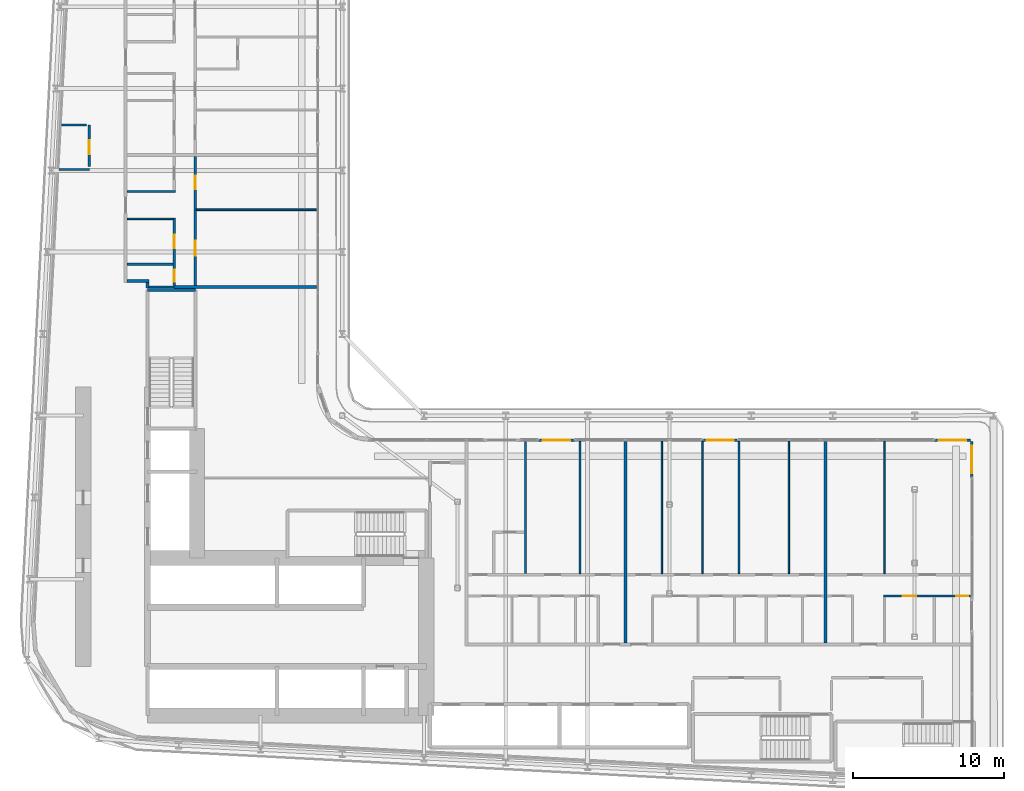
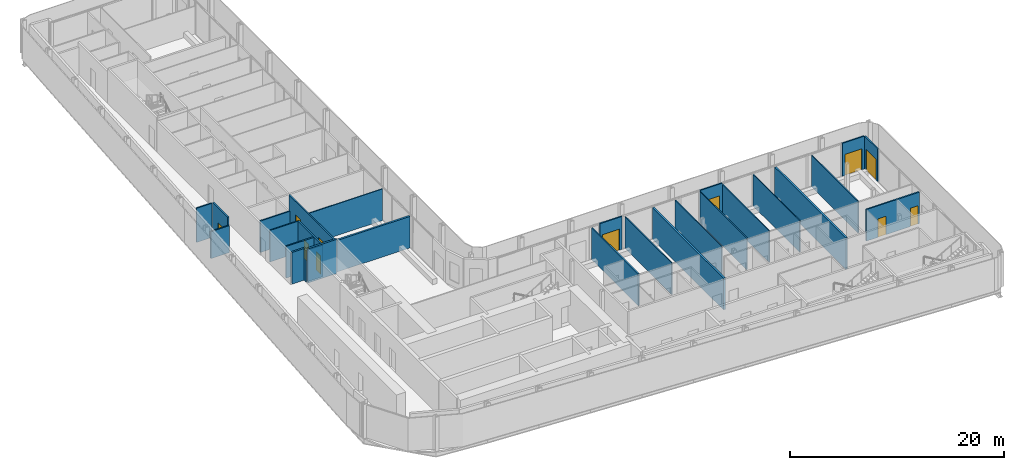
# One storey, part 14 of 24: 28 walls, 11 doors, 11 openings.
"""IFC4 building model written with IfcOpenShell, lengths in metres."""

from ifc_helpers import new_model, si_unit, direction, frame, frame_2d, origin, place, context, subcontext, project, spatial, rectangle, extrude, source, transform, mapped, material, layer, layer_set, type_object, element, fill, save


model = new_model("IFC4")

# Units and contexts
model_context = context("Model", 3, precision=1e-05, world=origin(), true_north=direction((0.0, 1.0)))
body_context = subcontext(model_context, "Body", "Model", "MODEL_VIEW")
ifc_project = project(units=[si_unit("LENGTHUNIT", "METRE"), si_unit("AREAUNIT", "SQUARE_METRE"), si_unit("VOLUMEUNIT", "CUBIC_METRE"), si_unit("PLANEANGLEUNIT", "RADIAN"), si_unit("MASSUNIT", "GRAM", prefix="KILO")], contexts=[model_context])

# Site, building, storey
site_placement = place(None, origin())
site = spatial("IfcSite", under=ifc_project, at=site_placement, CompositionType="ELEMENT")
building_placement = place(site_placement, origin())
building = spatial("IfcBuilding", under=site, at=building_placement, Name="Kheshtan School and Residences Tower", CompositionType="ELEMENT")
storey_placement = place(building_placement, frame((0.0, 0.0, 38.300048828125)))
storey = spatial("IfcBuildingStorey", under=building, at=storey_placement, Name="L08", CompositionType="ELEMENT", Elevation=38.300048828125)

# Walls
ifc_material_1 = material(Name="Gypsum board on steel studs with fire boards", Category="steel")
ifc_layer_1 = layer(ifc_material_1, 0.199951171875)
ifc_layer_set_1 = layer_set([ifc_layer_1], Name="Corridor wall 200")
wall_type_1 = type_object("IfcWallType", Name="Corridor wall 200", PredefinedType="PARTITIONING", material=ifc_layer_set_1)
wall_1_placement = place(storey_placement, frame((33.39990234375, 54.5, 0.0), z_axis=(0.0, 0.0, 1.0), x_axis=(1.0, 0.0, 0.0)))
element("IfcWall", 1, at=wall_1_placement, inside=storey, type_object=wall_type_1, Name="Partition L08-005", PredefinedType="PARTITIONING", context=body_context, shape_type="SweptSolid", body=[
    extrude(rectangle(XDim=1.4501953125, YDim=0.199951171875, at=frame_2d((0.72509765625, 0.0))), origin(), (0.0, 0.0, 1.0), 3.599853515625),
])
wall_2_placement = place(storey_placement, frame((34.75, 54.02490234375, 0.0), z_axis=(0.0, 0.0, 1.0), x_axis=(0.0, 1.0, 0.0)))
element("IfcWall", 2, at=wall_2_placement, inside=storey, type_object=wall_type_1, Name="Partition L08-019", PredefinedType="PARTITIONING", context=body_context, shape_type="SweptSolid", body=[
    extrude(rectangle(XDim=0.375, YDim=0.199951171875, at=frame_2d((0.1875, 0.0))), origin(), (0.0, 0.0, 1.0), 3.599853515625),
])

# Wall, opening, door
ifc_material_2 = material(Name="Aluminium frame wall with insulated infill", Category="aluminium")
ifc_layer_2 = layer(ifc_material_2, 0.14990234375)
ifc_layer_set_2 = layer_set([ifc_layer_2], Name="Glazing frame wall 150")
wall_type_2 = type_object("IfcWallType", Name="Glazing frame wall 150", PredefinedType="SOLIDWALL", material=ifc_layer_set_2)
wall_3_placement = place(storey_placement, frame((60.547119140625, 43.97509765625, 0.0), z_axis=(0.0, 0.0, 1.0), x_axis=(1.0, 0.0, 0.0)))
wall_3 = element("IfcWall", 3, at=wall_3_placement, inside=storey, type_object=wall_type_2, Name="Balcony door wall L08 12.2", PredefinedType="SOLIDWALL", context=body_context, shape_type="SweptSolid", body=[
    extrude(rectangle(XDim=2.39990234375, YDim=0.14990234375, at=frame_2d((1.199951171875, 0.0))), origin(), (0.0, 0.0, 1.0), 3.75),
])
opening_1_placement = place(wall_3_placement, frame((0.300048828125, 0.0, 0.0)))
opening_1 = element("IfcOpeningElement", 4, at=opening_1_placement, cuts=wall_3, Name="Opening BD", PredefinedType="OPENING", context=body_context, shape_type="SweptSolid", body=[
    extrude(rectangle(XDim=1.800048828125, YDim=2.39990234375, at=frame_2d((0.89990234375, 1.199951171875))), frame((0.0, 0.0849609375, 0.0), z_axis=(0.0, -1.0, 0.0), x_axis=(1.0, 0.0, 0.0)), (0.0, 0.0, 1.0), 0.169921875),
])
ifc_material_3 = material(Name="Clear low-e glass in thermally broken aluminium frame", Category="aluminium")
door_type_1 = type_object("IfcDoorType", Name="Balcony sliding door", OperationType="SLIDING_TO_LEFT", PredefinedType="DOOR", material=ifc_material_3)
shared_shape_1 = source(origin(), body_context, "Body", "SweptSolid", [
    extrude(rectangle(XDim=1.800048828125, YDim=2.39990234375, at=frame_2d((0.89990234375, 1.199951171875))), frame((0.0, 0.02490234375, 0.0), z_axis=(0.0, -1.0, 0.0), x_axis=(1.0, 0.0, 0.0)), (0.0, 0.0, 1.0), 0.050048828125),
])
door_1_placement = place(opening_1_placement, origin())
door_1 = element("IfcDoor", 5, at=door_1_placement, inside=storey, type_object=door_type_1, Name="Balcony door L08 12.2", OperationType="SLIDING_TO_LEFT", OverallHeight=2.39990234375, OverallWidth=1.800048828125, PredefinedType="DOOR", context=body_context, shape_type="MappedRepresentation", body=[
    mapped(shared_shape_1, transform((0.0, 0.0, 0.0), x_axis=(1.0, 0.0, 0.0), y_axis=(0.0, 1.0, 0.0), z_axis=(0.0, 0.0, 1.0), scale=1.0)),
])
fill(opening_1, door_1)

wall_4_placement = place(storey_placement, frame((71.364990234375, 43.97509765625, 0.0), z_axis=(0.0, 0.0, 1.0), x_axis=(1.0, 0.0, 0.0)))
wall_4 = element("IfcWall", 6, at=wall_4_placement, inside=storey, type_object=wall_type_2, Name="Balcony door wall L08 12.3", PredefinedType="SOLIDWALL", context=body_context, shape_type="SweptSolid", body=[
    extrude(rectangle(XDim=2.39990234375, YDim=0.14990234375, at=frame_2d((1.199951171875, 0.0))), origin(), (0.0, 0.0, 1.0), 3.75),
])
opening_2_placement = place(wall_4_placement, frame((0.300048828125, 0.0, 0.0)))
opening_2 = element("IfcOpeningElement", 7, at=opening_2_placement, cuts=wall_4, Name="Opening BD", PredefinedType="OPENING", context=body_context, shape_type="SweptSolid", body=[
    extrude(rectangle(XDim=1.800048828125, YDim=2.39990234375, at=frame_2d((0.89990234375, 1.199951171875))), frame((0.0, 0.0849609375, 0.0), z_axis=(0.0, -1.0, 0.0), x_axis=(1.0, 0.0, 0.0)), (0.0, 0.0, 1.0), 0.169921875),
])
door_2_placement = place(opening_2_placement, origin())
door_2 = element("IfcDoor", 8, at=door_2_placement, inside=storey, type_object=door_type_1, Name="Balcony door L08 12.3", OperationType="SLIDING_TO_LEFT", OverallHeight=2.39990234375, OverallWidth=1.800048828125, PredefinedType="DOOR", context=body_context, shape_type="MappedRepresentation", body=[
    mapped(shared_shape_1, transform((0.0, 0.0, 0.0), x_axis=(1.0, 0.0, 0.0), y_axis=(0.0, 1.0, 0.0), z_axis=(0.0, 0.0, 1.0), scale=1.0)),
])
fill(opening_2, door_2)

wall_5_placement = place(storey_placement, frame((86.699951171875, 43.97509765625, 0.0), z_axis=(0.0, 0.0, 1.0), x_axis=(1.0, 0.0, 0.0)))
wall_5 = element("IfcWall", 9, at=wall_5_placement, inside=storey, type_object=wall_type_2, Name="Balcony door wall L08 12.4", PredefinedType="SOLIDWALL", context=body_context, shape_type="SweptSolid", body=[
    extrude(rectangle(XDim=2.400146484375, YDim=0.14990234375, at=frame_2d((1.2001953125, 0.0))), origin(), (0.0, 0.0, 1.0), 3.75),
])
opening_3_placement = place(wall_5_placement, frame((0.300048828125, 0.0, 0.0)))
opening_3 = element("IfcOpeningElement", 10, at=opening_3_placement, cuts=wall_5, Name="Opening BD", PredefinedType="OPENING", context=body_context, shape_type="SweptSolid", body=[
    extrude(rectangle(XDim=1.800048828125, YDim=2.39990234375, at=frame_2d((0.89990234375, 1.199951171875))), frame((0.0, 0.0849609375, 0.0), z_axis=(0.0, -1.0, 0.0), x_axis=(1.0, 0.0, 0.0)), (0.0, 0.0, 1.0), 0.169921875),
])
door_3_placement = place(opening_3_placement, origin())
door_3 = element("IfcDoor", 11, at=door_3_placement, inside=storey, type_object=door_type_1, Name="Balcony door L08 12.4", OperationType="SLIDING_TO_LEFT", OverallHeight=2.39990234375, OverallWidth=1.800048828125, PredefinedType="DOOR", context=body_context, shape_type="MappedRepresentation", body=[
    mapped(shared_shape_1, transform((0.0, 0.0, 0.0), x_axis=(1.0, 0.0, 0.0), y_axis=(0.0, 1.0, 0.0), z_axis=(0.0, 0.0, 1.0), scale=1.0)),
])
fill(opening_3, door_3)

wall_6_placement = place(storey_placement, frame((89.175048828125, 43.89990234375, 0.0), z_axis=(0.0, 0.0, 1.0), x_axis=(0.0, -1.0, 0.0)))
wall_6 = element("IfcWall", 12, at=wall_6_placement, inside=storey, type_object=wall_type_2, Name="Balcony door wall L08 13.1", PredefinedType="SOLIDWALL", context=body_context, shape_type="SweptSolid", body=[
    extrude(rectangle(XDim=2.39990234375, YDim=0.14990234375, at=frame_2d((1.199951171875, 0.0))), origin(), (0.0, 0.0, 1.0), 3.75),
])
opening_4_placement = place(wall_6_placement, frame((0.300048828125, 0.0, 0.0)))
opening_4 = element("IfcOpeningElement", 13, at=opening_4_placement, cuts=wall_6, Name="Opening BD", PredefinedType="OPENING", context=body_context, shape_type="SweptSolid", body=[
    extrude(rectangle(XDim=1.800048828125, YDim=2.39990234375, at=frame_2d((0.89990234375, 1.199951171875))), frame((0.0, 0.0849609375, 0.0), z_axis=(0.0, -1.0, 0.0), x_axis=(1.0, 0.0, 0.0)), (0.0, 0.0, 1.0), 0.169921875),
])
door_4_placement = place(opening_4_placement, origin())
door_4 = element("IfcDoor", 14, at=door_4_placement, inside=storey, type_object=door_type_1, Name="Balcony door L08 13.1", OperationType="SLIDING_TO_LEFT", OverallHeight=2.39990234375, OverallWidth=1.800048828125, PredefinedType="DOOR", context=body_context, shape_type="MappedRepresentation", body=[
    mapped(shared_shape_1, transform((0.0, 0.0, 0.0), x_axis=(1.0, 0.0, 0.0), y_axis=(0.0, 1.0, 0.0), z_axis=(0.0, 0.0, 1.0), scale=1.0)),
])
fill(opening_4, door_4)

# Walls
ifc_material_4 = material(Name="Gypsum board on steel studs", Category="steel")
ifc_layer_3 = layer(ifc_material_4, 0.10009765625)
ifc_layer_set_3 = layer_set([ifc_layer_3], Name="Gypsum partition 100")
wall_type_3 = type_object("IfcWallType", Name="Gypsum partition 100", PredefinedType="PARTITIONING", material=ifc_layer_set_3)
wall_7_placement = place(storey_placement, frame((33.39990234375, 58.60009765625, 0.0), z_axis=(0.0, 0.0, 1.0), x_axis=(1.0, 0.0, 0.0)))
element("IfcWall", 15, at=wall_7_placement, inside=storey, type_object=wall_type_3, Name="Partition L08-007", PredefinedType="PARTITIONING", context=body_context, shape_type="SweptSolid", body=[
    extrude(rectangle(XDim=3.025146484375, YDim=0.10009765625, at=frame_2d((1.5126953125, 0.0))), origin(), (0.0, 0.0, 1.0), 3.599853515625),
])
wall_8_placement = place(storey_placement, frame((37.97509765625, 59.199951171875, 0.0), z_axis=(0.0, 0.0, 1.0), x_axis=(1.0, 0.0, 0.0)))
element("IfcWall", 16, at=wall_8_placement, inside=storey, type_object=wall_type_3, Name="Partition L08-036", PredefinedType="PARTITIONING", context=body_context, shape_type="SweptSolid", body=[
    extrude(rectangle(XDim=7.9248046875, YDim=0.10009765625, at=frame_2d((3.96240234375, 0.0))), origin(), (0.0, 0.0, 1.0), 3.599853515625),
])
for number, where, z_axis, x_axis, name in (
    (17, (63.300048828125, 35.175048828125, 0.0), (0.0, 0.0, 1.0), (0.0, 1.0, 0.0), "Partition L08-056"),
    (18, (68.699951171875, 35.175048828125, 0.0), (0.0, 0.0, 1.0), (0.0, 1.0, 0.0), "Partition L08-062"),
    (19, (71.39990234375, 35.175048828125, 0.0), (0.0, 0.0, 1.0), (0.0, 1.0, 0.0), "Partition L08-064"),
    (20, (73.800048828125, 35.175048828125, 0.0), (0.0, 0.0, 1.0), (0.0, 1.0, 0.0), "Partition L08-066"),
    (21, (77.10009765625, 35.175048828125, 0.0), (0.0, 0.0, 1.0), (0.0, 1.0, 0.0), "Partition L08-068"),
    (22, (83.39990234375, 35.175048828125, 0.0), (0.0, 0.0, 1.0), (0.0, 1.0, 0.0), "Partition L08-076"),
):
    element("IfcWall", number, at=place(storey_placement, frame(where, z_axis=z_axis, x_axis=x_axis)), inside=storey, type_object=wall_type_3, Name=name, PredefinedType="PARTITIONING", context=body_context, shape_type="SweptSolid", body=[
        extrude(rectangle(XDim=8.724853515625, YDim=0.10009765625, at=frame_2d((4.3623046875, 0.0))), origin(), (0.0, 0.0, 1.0), 3.599853515625),
    ])
ifc_material_5 = material(Name="Fire-board shaft wall system")
ifc_layer_4 = layer(ifc_material_5, 0.14990234375)
ifc_layer_set_4 = layer_set([ifc_layer_4], Name="Service room wall 150")
wall_type_4 = type_object("IfcWallType", Name="Service room wall 150", PredefinedType="PARTITIONING", material=ifc_layer_set_4)
wall_9_placement = place(storey_placement, frame((28.89501953125, 61.85107421875, 0.0), z_axis=(0.0, 0.0, 1.0), x_axis=(1.0, 0.0, 0.0)))
element("IfcWall", 23, at=wall_9_placement, inside=storey, type_object=wall_type_4, Name="Service room wall", PredefinedType="PARTITIONING", context=body_context, shape_type="SweptSolid", body=[
    extrude(rectangle(XDim=2.0048828125, YDim=0.14990234375, at=frame_2d((1.00244140625, 0.0))), origin(), (0.0, 0.0, 1.0), 3.072021484375),
])

# Wall, opening, door
wall_10_placement = place(storey_placement, frame((30.89990234375, 62.0458984375, 0.0), z_axis=(0.0, 0.0, 1.0), x_axis=(0.0, 1.0, 0.0)))
wall_10 = element("IfcWall", 24, at=wall_10_placement, inside=storey, type_object=wall_type_4, Name="Service room wall", PredefinedType="PARTITIONING", context=body_context, shape_type="SweptSolid", body=[
    extrude(rectangle(XDim=2.754150390625, YDim=0.14990234375, at=frame_2d((1.376953125, 0.0))), origin(), (0.0, 0.0, 1.0), 3.89990234375),
])
opening_5_placement = place(wall_10_placement, frame((0.830078125, 0.0, 0.0)))
opening_5 = element("IfcOpeningElement", 25, at=opening_5_placement, cuts=wall_10, Name="Opening SR90", PredefinedType="OPENING", context=body_context, shape_type="SweptSolid", body=[
    extrude(rectangle(XDim=0.89990234375, YDim=2.199951171875, at=frame_2d((0.449951171875, 1.10009765625))), frame((0.0, 0.0849609375, 0.0), z_axis=(0.0, -1.0, 0.0), x_axis=(1.0, 0.0, 0.0)), (0.0, 0.0, 1.0), 0.169921875),
])
ifc_material_6 = material(Name="Steel door leaf, galvanised", Category="steel")
door_type_2 = type_object("IfcDoorType", Name="Service room door 900 steel 90 min", OperationType="SINGLE_SWING_LEFT", PredefinedType="DOOR", material=ifc_material_6)
shared_shape_2 = source(origin(), body_context, "Body", "SweptSolid", [
    extrude(rectangle(XDim=0.89990234375, YDim=2.199951171875, at=frame_2d((0.449951171875, 1.10009765625))), frame((0.0, 0.02490234375, 0.0), z_axis=(0.0, -1.0, 0.0), x_axis=(1.0, 0.0, 0.0)), (0.0, 0.0, 1.0), 0.050048828125),
])
door_5_placement = place(opening_5_placement, origin())
door_5 = element("IfcDoor", 26, at=door_5_placement, inside=storey, type_object=door_type_2, Name="Service room door", OperationType="SINGLE_SWING_LEFT", OverallHeight=2.199951171875, OverallWidth=0.89990234375, PredefinedType="DOOR", context=body_context, shape_type="MappedRepresentation", body=[
    mapped(shared_shape_2, transform((0.0, 0.0, 0.0), x_axis=(1.0, 0.0, 0.0), y_axis=(0.0, 1.0, 0.0), z_axis=(0.0, 0.0, 1.0), scale=1.0)),
])
fill(opening_5, door_5)

# Walls
wall_11_placement = place(storey_placement, frame((29.050048828125, 64.800048828125, 0.0), z_axis=(0.0, 0.0, 1.0), x_axis=(1.0, 0.0, 0.0)))
element("IfcWall", 27, at=wall_11_placement, inside=storey, type_object=wall_type_4, Name="Service room wall", PredefinedType="PARTITIONING", context=body_context, shape_type="SweptSolid", body=[
    extrude(rectangle(XDim=1.655029296875, YDim=0.14990234375, at=frame_2d((0.82763671875, 0.0))), origin(), (0.0, 0.0, 1.0), 3.89990234375),
])
ifc_material_7 = material(Name="Concrete C40/50", Category="concrete")
ifc_layer_5 = layer(ifc_material_7, 0.199951171875)
ifc_layer_set_5 = layer_set([ifc_layer_5], Name="Stair enclosure wall 200 Concrete C40/50")
wall_type_5 = type_object("IfcWallType", Name="Stair enclosure wall 200 Concrete C40/50", PredefinedType="SHEAR", material=ifc_layer_set_5)
wall_12_placement = place(storey_placement, frame((34.75, 53.909912109375, 0.0), z_axis=(0.0, 0.0, 1.0), x_axis=(1.0, 0.0, 0.0)))
element("IfcWall", 28, at=wall_12_placement, inside=storey, type_object=wall_type_5, Name="Stair enclosure wall ST2", PredefinedType="SHEAR", context=body_context, shape_type="SweptSolid", body=[
    extrude(rectangle(XDim=3.14990234375, YDim=0.199951171875, at=frame_2d((1.574951171875, 0.0))), origin(), (0.0, 0.0, 1.0), 3.89990234375),
])
ifc_material_8 = material(Name="Twin gypsum board on steel studs with mineral wool", Category="steel")
ifc_layer_6 = layer(ifc_material_8, 0.199951171875)
ifc_layer_set_6 = layer_set([ifc_layer_6], Name="Unit demising wall 200")
wall_type_6 = type_object("IfcWallType", Name="Unit demising wall 200", PredefinedType="PARTITIONING", material=ifc_layer_set_6)
wall_13_placement = place(storey_placement, frame((36.5, 54.10009765625, 0.0), z_axis=(0.0, 0.0, 1.0), x_axis=(1.0, 0.0, 0.0)))
element("IfcWall", 29, at=wall_13_placement, inside=storey, type_object=wall_type_6, Name="Partition L08-022", PredefinedType="PARTITIONING", context=body_context, shape_type="SweptSolid", body=[
    extrude(rectangle(XDim=9.39990234375, YDim=0.199951171875, at=frame_2d((4.699951171875, 0.0))), origin(), (0.0, 0.0, 1.0), 3.599853515625),
])
for number, where, z_axis, x_axis, name in (
    (30, (66.300048828125, 30.60009765625, 0.0), (0.0, 0.0, 1.0), (0.0, 1.0, 0.0), "Partition L08-058"),
    (31, (79.5, 30.60009765625, 0.0), (0.0, 0.0, 1.0), (0.0, 1.0, 0.0), "Partition L08-070"),
):
    element("IfcWall", number, at=place(storey_placement, frame(where, z_axis=z_axis, x_axis=x_axis)), inside=storey, type_object=wall_type_6, Name=name, PredefinedType="PARTITIONING", context=body_context, shape_type="SweptSolid", body=[
        extrude(rectangle(XDim=13.2998046875, YDim=0.199951171875, at=frame_2d((6.64990234375, 0.0))), origin(), (0.0, 0.0, 1.0), 3.599853515625),
    ])
ifc_material_9 = material(Name="Moisture-resistant gypsum board on steel studs", Category="steel")
ifc_layer_7 = layer(ifc_material_9, 0.14990234375)
ifc_layer_set_7 = layer_set([ifc_layer_7], Name="Wet-room partition 150")
wall_type_7 = type_object("IfcWallType", Name="Wet-room partition 150", PredefinedType="PARTITIONING", material=ifc_layer_set_7)
wall_14_placement = place(storey_placement, frame((33.39990234375, 55.60009765625, 0.0), z_axis=(0.0, 0.0, 1.0), x_axis=(1.0, 0.0, 0.0)))
element("IfcWall", 32, at=wall_14_placement, inside=storey, type_object=wall_type_7, Name="Partition L08-006", PredefinedType="PARTITIONING", context=body_context, shape_type="SweptSolid", body=[
    extrude(rectangle(XDim=3.025146484375, YDim=0.14990234375, at=frame_2d((1.5126953125, 0.0))), origin(), (0.0, 0.0, 1.0), 3.599853515625),
])
wall_15_placement = place(storey_placement, frame((33.39990234375, 60.39990234375, 0.0), z_axis=(0.0, 0.0, 1.0), x_axis=(1.0, 0.0, 0.0)))
element("IfcWall", 33, at=wall_15_placement, inside=storey, type_object=wall_type_7, Name="Partition L08-008", PredefinedType="PARTITIONING", context=body_context, shape_type="SweptSolid", body=[
    extrude(rectangle(XDim=3.175048828125, YDim=0.14990234375, at=frame_2d((1.58740234375, 0.0))), origin(), (0.0, 0.0, 1.0), 3.599853515625),
])
wall_16_placement = place(storey_placement, frame((34.85009765625, 54.10009765625, 0.0), z_axis=(0.0, 0.0, 1.0), x_axis=(1.0, 0.0, 0.0)))
element("IfcWall", 34, at=wall_16_placement, inside=storey, type_object=wall_type_7, Name="Partition L08-020", PredefinedType="PARTITIONING", context=body_context, shape_type="SweptSolid", body=[
    extrude(rectangle(XDim=1.64990234375, YDim=0.14990234375, at=frame_2d((0.824951171875, 0.0))), origin(), (0.0, 0.0, 1.0), 3.599853515625),
])

# Wall, openings, doors
wall_17_placement = place(storey_placement, frame((36.5, 54.199951171875, 0.0), z_axis=(0.0, 0.0, 1.0), x_axis=(0.0, 1.0, 0.0)))
wall_17 = element("IfcWall", 35, at=wall_17_placement, inside=storey, type_object=wall_type_7, Name="Partition L08-023", PredefinedType="PARTITIONING", context=body_context, shape_type="SweptSolid", body=[
    extrude(rectangle(XDim=4.449951171875, YDim=0.14990234375, at=frame_2d((2.22509765625, 0.0))), origin(), (0.0, 0.0, 1.0), 3.599853515625),
])
opening_6_placement = place(wall_17_placement, frame((2.449951171875, 0.0, 0.0)))
opening_6 = element("IfcOpeningElement", 36, at=opening_6_placement, cuts=wall_17, Name="Opening D08-030", PredefinedType="OPENING", context=body_context, shape_type="SweptSolid", body=[
    extrude(rectangle(XDim=0.89990234375, YDim=2.10009765625, at=frame_2d((0.449951171875, 1.050048828125))), frame((0.0, 0.0849609375, 0.0), z_axis=(0.0, -1.0, 0.0), x_axis=(1.0, 0.0, 0.0)), (0.0, 0.0, 1.0), 0.169921875),
])
opening_7_placement = place(wall_17_placement, frame((0.25, 0.0, 0.0)))
opening_7 = element("IfcOpeningElement", 37, at=opening_7_placement, cuts=wall_17, Name="Opening D08-032", PredefinedType="OPENING", context=body_context, shape_type="SweptSolid", body=[
    extrude(rectangle(XDim=0.800048828125, YDim=2.10009765625, at=frame_2d((0.39990234375, 1.050048828125))), frame((0.0, 0.0849609375, 0.0), z_axis=(0.0, -1.0, 0.0), x_axis=(1.0, 0.0, 0.0)), (0.0, 0.0, 1.0), 0.169921875),
])
ifc_material_10 = material(Name="Veneered timber door leaf", Category="wood")
door_type_3 = type_object("IfcDoorType", Name="Door 800 x 2100", OperationType="SINGLE_SWING_LEFT", PredefinedType="DOOR", material=ifc_material_10)
shared_shape_3 = source(origin(), body_context, "Body", "SweptSolid", [
    extrude(rectangle(XDim=0.800048828125, YDim=2.10009765625, at=frame_2d((0.39990234375, 1.050048828125))), frame((0.0, 0.02490234375, 0.0), z_axis=(0.0, -1.0, 0.0), x_axis=(1.0, 0.0, 0.0)), (0.0, 0.0, 1.0), 0.050048828125),
])
door_6_placement = place(opening_7_placement, origin())
door_6 = element("IfcDoor", 38, at=door_6_placement, inside=storey, type_object=door_type_3, Name="Door D08-032", OperationType="SINGLE_SWING_RIGHT", OverallHeight=2.10009765625, OverallWidth=0.800048828125, PredefinedType="DOOR", context=body_context, shape_type="MappedRepresentation", body=[
    mapped(shared_shape_3, transform((0.0, 0.0, 0.0), x_axis=(1.0, 0.0, 0.0), y_axis=(0.0, 1.0, 0.0), z_axis=(0.0, 0.0, 1.0), scale=1.0)),
])
fill(opening_7, door_6)
door_type_4 = type_object("IfcDoorType", Name="Door 900 x 2100", OperationType="SINGLE_SWING_LEFT", PredefinedType="DOOR", material=ifc_material_10)
shared_shape_4 = source(origin(), body_context, "Body", "SweptSolid", [
    extrude(rectangle(XDim=0.89990234375, YDim=2.10009765625, at=frame_2d((0.449951171875, 1.050048828125))), frame((0.0, 0.02490234375, 0.0), z_axis=(0.0, -1.0, 0.0), x_axis=(1.0, 0.0, 0.0)), (0.0, 0.0, 1.0), 0.050048828125),
])
door_7_placement = place(opening_6_placement, origin())
door_7 = element("IfcDoor", 39, at=door_7_placement, inside=storey, type_object=door_type_4, Name="Door D08-030", OperationType="SINGLE_SWING_RIGHT", OverallHeight=2.10009765625, OverallWidth=0.89990234375, PredefinedType="DOOR", context=body_context, shape_type="MappedRepresentation", body=[
    mapped(shared_shape_4, transform((0.0, 0.0, 0.0), x_axis=(1.0, 0.0, 0.0), y_axis=(0.0, 1.0, 0.0), z_axis=(0.0, 0.0, 1.0), scale=1.0)),
])
fill(opening_6, door_7)

wall_18_placement = place(storey_placement, frame((37.89990234375, 54.199951171875, 0.0), z_axis=(0.0, 0.0, 1.0), x_axis=(0.0, 1.0, 0.0)))
wall_18 = element("IfcWall", 40, at=wall_18_placement, inside=storey, type_object=wall_type_7, Name="Partition L08-032", PredefinedType="PARTITIONING", context=body_context, shape_type="SweptSolid", body=[
    extrude(rectangle(XDim=8.5, YDim=0.14990234375, at=frame_2d((4.25, 0.0))), origin(), (0.0, 0.0, 1.0), 3.599853515625),
])
opening_8_placement = place(wall_18_placement, frame((6.35009765625, 0.0, 0.0)))
opening_8 = element("IfcOpeningElement", 41, at=opening_8_placement, cuts=wall_18, Name="Opening D08-028", PredefinedType="OPENING", context=body_context, shape_type="SweptSolid", body=[
    extrude(rectangle(XDim=0.89990234375, YDim=2.10009765625, at=frame_2d((0.449951171875, 1.050048828125))), frame((0.0, 0.0849609375, 0.0), z_axis=(0.0, -1.0, 0.0), x_axis=(1.0, 0.0, 0.0)), (0.0, 0.0, 1.0), 0.169921875),
])
opening_9_placement = place(wall_18_placement, frame((1.949951171875, 0.0, 0.0)))
opening_9 = element("IfcOpeningElement", 42, at=opening_9_placement, cuts=wall_18, Name="Opening D08-031", PredefinedType="OPENING", context=body_context, shape_type="SweptSolid", body=[
    extrude(rectangle(XDim=1.0, YDim=2.10009765625, at=frame_2d((0.5, 1.050048828125))), frame((0.0, 0.0849609375, 0.0), z_axis=(0.0, -1.0, 0.0), x_axis=(1.0, 0.0, 0.0)), (0.0, 0.0, 1.0), 0.169921875),
])
door_type_5 = type_object("IfcDoorType", Name="Door 1000 x 2100", OperationType="SINGLE_SWING_LEFT", PredefinedType="DOOR", material=ifc_material_10)
shared_shape_5 = source(origin(), body_context, "Body", "SweptSolid", [
    extrude(rectangle(XDim=1.0, YDim=2.10009765625, at=frame_2d((0.5, 1.050048828125))), frame((0.0, 0.02490234375, 0.0), z_axis=(0.0, -1.0, 0.0), x_axis=(1.0, 0.0, 0.0)), (0.0, 0.0, 1.0), 0.050048828125),
])
door_8_placement = place(opening_9_placement, origin())
door_8 = element("IfcDoor", 43, at=door_8_placement, inside=storey, type_object=door_type_5, Name="Door D08-031", OperationType="SINGLE_SWING_RIGHT", OverallHeight=2.10009765625, OverallWidth=1.0, PredefinedType="DOOR", context=body_context, shape_type="MappedRepresentation", body=[
    mapped(shared_shape_5, transform((0.0, 0.0, 0.0), x_axis=(1.0, 0.0, 0.0), y_axis=(0.0, 1.0, 0.0), z_axis=(0.0, 0.0, 1.0), scale=1.0)),
])
fill(opening_9, door_8)
door_9_placement = place(opening_8_placement, origin())
door_9 = element("IfcDoor", 44, at=door_9_placement, inside=storey, type_object=door_type_4, Name="Door D08-028", OperationType="SINGLE_SWING_RIGHT", OverallHeight=2.10009765625, OverallWidth=0.89990234375, PredefinedType="DOOR", context=body_context, shape_type="MappedRepresentation", body=[
    mapped(shared_shape_4, transform((0.0, 0.0, 0.0), x_axis=(1.0, 0.0, 0.0), y_axis=(0.0, 1.0, 0.0), z_axis=(0.0, 0.0, 1.0), scale=1.0)),
])
fill(opening_8, door_9)

# Wall
wall_19_placement = place(storey_placement, frame((59.699951171875, 35.175048828125, 0.0), z_axis=(0.0, 0.0, 1.0), x_axis=(0.0, 1.0, 0.0)))
element("IfcWall", 45, at=wall_19_placement, inside=storey, type_object=wall_type_7, Name="Partition L08-053", PredefinedType="PARTITIONING", context=body_context, shape_type="SweptSolid", body=[
    extrude(rectangle(XDim=8.724853515625, YDim=0.14990234375, at=frame_2d((4.3623046875, 0.0))), origin(), (0.0, 0.0, 1.0), 3.599853515625),
])

# Wall, openings, doors
wall_20_placement = place(storey_placement, frame((83.35009765625, 33.699951171875, 0.0), z_axis=(0.0, 0.0, 1.0), x_axis=(1.0, 0.0, 0.0)))
wall_20 = element("IfcWall", 46, at=wall_20_placement, inside=storey, type_object=wall_type_7, Name="Partition L08-074", PredefinedType="PARTITIONING", context=body_context, shape_type="SweptSolid", body=[
    extrude(rectangle(XDim=5.75, YDim=0.14990234375, at=frame_2d((2.875, 0.0))), origin(), (0.0, 0.0, 1.0), 3.599853515625),
])
opening_10_placement = place(wall_20_placement, frame((4.800048828125, 0.0, 0.0)))
opening_10 = element("IfcOpeningElement", 47, at=opening_10_placement, cuts=wall_20, Name="Opening D08-021", PredefinedType="OPENING", context=body_context, shape_type="SweptSolid", body=[
    extrude(rectangle(XDim=0.800048828125, YDim=2.10009765625, at=frame_2d((0.39990234375, 1.050048828125))), frame((0.0, 0.0849609375, 0.0), z_axis=(0.0, -1.0, 0.0), x_axis=(1.0, 0.0, 0.0)), (0.0, 0.0, 1.0), 0.169921875),
])
opening_11_placement = place(wall_20_placement, frame((1.25, 0.0, 0.0)))
opening_11 = element("IfcOpeningElement", 48, at=opening_11_placement, cuts=wall_20, Name="Opening D08-024", PredefinedType="OPENING", context=body_context, shape_type="SweptSolid", body=[
    extrude(rectangle(XDim=0.89990234375, YDim=2.10009765625, at=frame_2d((0.449951171875, 1.050048828125))), frame((0.0, 0.0849609375, 0.0), z_axis=(0.0, -1.0, 0.0), x_axis=(1.0, 0.0, 0.0)), (0.0, 0.0, 1.0), 0.169921875),
])
door_10_placement = place(opening_10_placement, origin())
door_10 = element("IfcDoor", 49, at=door_10_placement, inside=storey, type_object=door_type_3, Name="Door D08-021", OperationType="SINGLE_SWING_LEFT", OverallHeight=2.10009765625, OverallWidth=0.800048828125, PredefinedType="DOOR", context=body_context, shape_type="MappedRepresentation", body=[
    mapped(shared_shape_3, transform((0.0, 0.0, 0.0), x_axis=(1.0, 0.0, 0.0), y_axis=(0.0, 1.0, 0.0), z_axis=(0.0, 0.0, 1.0), scale=1.0)),
])
fill(opening_10, door_10)
door_11_placement = place(opening_11_placement, origin())
door_11 = element("IfcDoor", 50, at=door_11_placement, inside=storey, type_object=door_type_4, Name="Door D08-024", OperationType="SINGLE_SWING_LEFT", OverallHeight=2.10009765625, OverallWidth=0.89990234375, PredefinedType="DOOR", context=body_context, shape_type="MappedRepresentation", body=[
    mapped(shared_shape_4, transform((0.0, 0.0, 0.0), x_axis=(1.0, 0.0, 0.0), y_axis=(0.0, 1.0, 0.0), z_axis=(0.0, 0.0, 1.0), scale=1.0)),
])
fill(opening_11, door_11)

save(model, "model.ifc")
